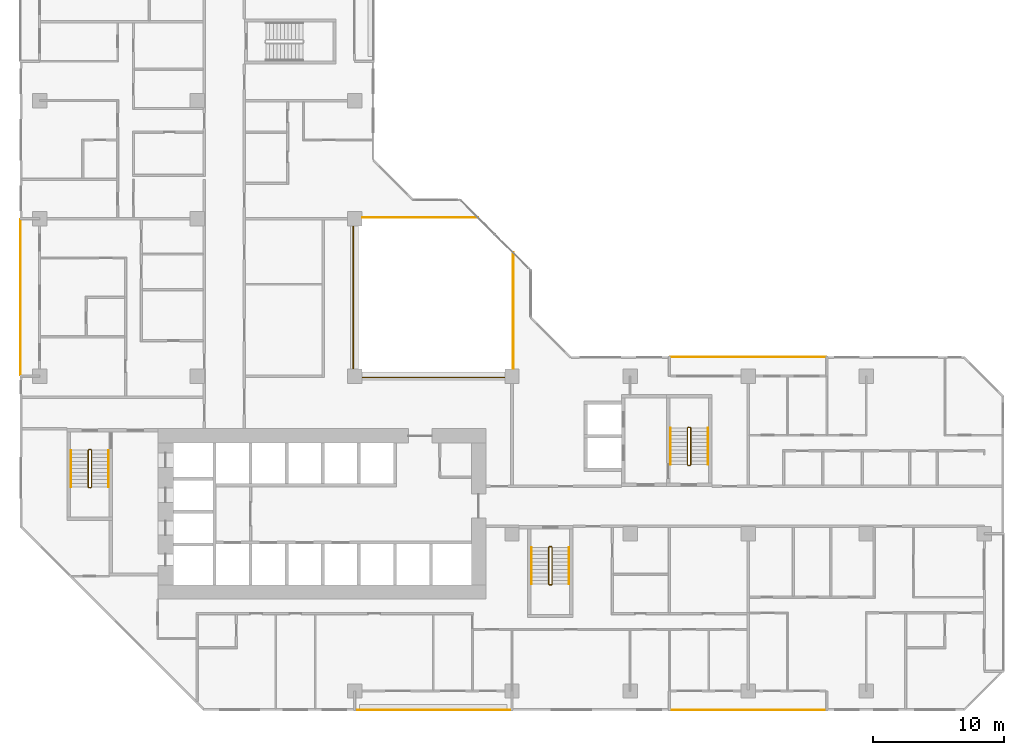
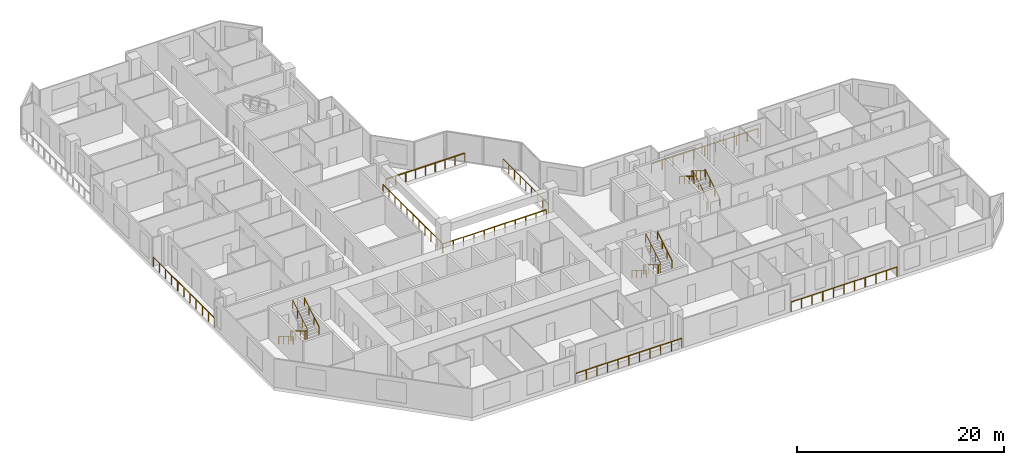
# One storey, part 14 of 15: 16 railings.
"""IFC4 building model written with IfcOpenShell, lengths in metres."""

from ifc_helpers import new_model, si_unit, direction, frame, origin, origin_2d, place, context, subcontext, project, spatial, rectangle, extrude, material, type_object, element, save


model = new_model("IFC4")

# Units and contexts
model_context = context("Model", 3, precision=1e-05, world=origin(), true_north=direction((0.0, 1.0)))
body_context = subcontext(model_context, "Body", "Model", "MODEL_VIEW")
ifc_project = project(units=[si_unit("LENGTHUNIT", "METRE"), si_unit("AREAUNIT", "SQUARE_METRE"), si_unit("VOLUMEUNIT", "CUBIC_METRE"), si_unit("PLANEANGLEUNIT", "RADIAN"), si_unit("MASSUNIT", "GRAM", prefix="KILO")], contexts=[model_context])

# Site, building, storey
site_placement = place(None, origin())
site = spatial("IfcSite", under=ifc_project, at=site_placement, CompositionType="ELEMENT")
building_placement = place(site_placement, origin())
building = spatial("IfcBuilding", under=site, at=building_placement, Name="Chenar Terraces", CompositionType="ELEMENT")
storey_placement = place(building_placement, frame((0.0, 0.0, 52.64990234375)))
storey = spatial("IfcBuildingStorey", under=building, at=storey_placement, Name="L10", CompositionType="ELEMENT", Elevation=52.64990234375)

# Railings
ifc_material_1 = material(Name="Powder-coated steel", Category="steel")
railing_type_1 = type_object("IfcRailingType", Name="Guard 1100 steel rail with glass infill", PredefinedType="GUARDRAIL", material=ifc_material_1)
railing_1_placement = place(storey_placement, frame((23.89990234375, 35.449951171875, 0.0)))
element("IfcRailing", 1, at=railing_1_placement, inside=storey, type_object=railing_type_1, Name="Guard L10-1", PredefinedType="GUARDRAIL", context=body_context, shape_type="SweptSolid", body=[
    extrude(rectangle(XDim=0.06005859375, YDim=0.06005859375, at=origin_2d()), frame((0.0, 0.0, 1.070068359375), z_axis=(0.0, -1.0, 0.0), x_axis=(1.0, 0.0, 0.0)), (0.0, 0.0, 1.0), 11.550048828125),
    extrude(rectangle(XDim=0.06005859375, YDim=0.06005859375, at=origin_2d()), frame((0.0, -11.550048828125, 1.070068359375), z_axis=(1.0, 0.0, 0.0), x_axis=(0.0, 1.0, 0.0)), (0.0, 0.0, 1.0), 11.550048828125),
    extrude(rectangle(XDim=0.050048828125, YDim=0.050048828125, at=origin_2d()), origin(), (0.0, 0.0, 1.0), 1.0400390625),
    extrude(rectangle(XDim=0.050048828125, YDim=0.050048828125, at=origin_2d()), frame((0.0, -1.155029296875, 0.0)), (0.0, 0.0, 1.0), 1.0400390625),
    extrude(rectangle(XDim=0.050048828125, YDim=0.050048828125, at=origin_2d()), frame((0.0, -2.31005859375, 0.0)), (0.0, 0.0, 1.0), 1.0400390625),
    extrude(rectangle(XDim=0.050048828125, YDim=0.050048828125, at=origin_2d()), frame((0.0, -3.465087890625, 0.0)), (0.0, 0.0, 1.0), 1.0400390625),
    extrude(rectangle(XDim=0.050048828125, YDim=0.050048828125, at=origin_2d()), frame((0.0, -4.6201171875, 0.0)), (0.0, 0.0, 1.0), 1.0400390625),
    extrude(rectangle(XDim=0.050048828125, YDim=0.050048828125, at=origin_2d()), frame((0.0, -5.77490234375, 0.0)), (0.0, 0.0, 1.0), 1.0400390625),
    extrude(rectangle(XDim=0.050048828125, YDim=0.050048828125, at=origin_2d()), frame((0.0, -6.929931640625, 0.0)), (0.0, 0.0, 1.0), 1.0400390625),
    extrude(rectangle(XDim=0.050048828125, YDim=0.050048828125, at=origin_2d()), frame((0.0, -8.0849609375, 0.0)), (0.0, 0.0, 1.0), 1.0400390625),
    extrude(rectangle(XDim=0.050048828125, YDim=0.050048828125, at=origin_2d()), frame((0.0, -9.239990234375, 0.0)), (0.0, 0.0, 1.0), 1.0400390625),
    extrude(rectangle(XDim=0.050048828125, YDim=0.050048828125, at=origin_2d()), frame((0.0, -10.39501953125, 0.0)), (0.0, 0.0, 1.0), 1.0400390625),
    extrude(rectangle(XDim=0.050048828125, YDim=0.050048828125, at=origin_2d()), frame((0.0, -11.550048828125, 0.0)), (0.0, 0.0, 1.0), 1.0400390625),
    extrude(rectangle(XDim=0.050048828125, YDim=0.050048828125, at=origin_2d()), frame((1.155029296875, -11.550048828125, 0.0)), (0.0, 0.0, 1.0), 1.0400390625),
    extrude(rectangle(XDim=0.050048828125, YDim=0.050048828125, at=origin_2d()), frame((2.31005859375, -11.550048828125, 0.0)), (0.0, 0.0, 1.0), 1.0400390625),
    extrude(rectangle(XDim=0.050048828125, YDim=0.050048828125, at=origin_2d()), frame((3.465087890625, -11.550048828125, 0.0)), (0.0, 0.0, 1.0), 1.0400390625),
    extrude(rectangle(XDim=0.050048828125, YDim=0.050048828125, at=origin_2d()), frame((4.6201171875, -11.550048828125, 0.0)), (0.0, 0.0, 1.0), 1.0400390625),
    extrude(rectangle(XDim=0.050048828125, YDim=0.050048828125, at=origin_2d()), frame((5.77490234375, -11.550048828125, 0.0)), (0.0, 0.0, 1.0), 1.0400390625),
    extrude(rectangle(XDim=0.050048828125, YDim=0.050048828125, at=origin_2d()), frame((6.929931640625, -11.550048828125, 0.0)), (0.0, 0.0, 1.0), 1.0400390625),
    extrude(rectangle(XDim=0.050048828125, YDim=0.050048828125, at=origin_2d()), frame((8.0849609375, -11.550048828125, 0.0)), (0.0, 0.0, 1.0), 1.0400390625),
    extrude(rectangle(XDim=0.050048828125, YDim=0.050048828125, at=origin_2d()), frame((9.239990234375, -11.550048828125, 0.0)), (0.0, 0.0, 1.0), 1.0400390625),
    extrude(rectangle(XDim=0.050048828125, YDim=0.050048828125, at=origin_2d()), frame((10.39501953125, -11.550048828125, 0.0)), (0.0, 0.0, 1.0), 1.0400390625),
    extrude(rectangle(XDim=0.050048828125, YDim=0.050048828125, at=origin_2d()), frame((11.550048828125, -11.550048828125, 0.0)), (0.0, 0.0, 1.0), 1.0400390625),
])
railing_2_placement = place(storey_placement, frame((24.60009765625, 36.10009765625, 0.0)))
element("IfcRailing", 2, at=railing_2_placement, inside=storey, type_object=railing_type_1, Name="Guard L10-2", PredefinedType="GUARDRAIL", context=body_context, shape_type="SweptSolid", body=[
    extrude(rectangle(XDim=0.06005859375, YDim=0.06005859375, at=origin_2d()), frame((0.0, 0.0, 1.070068359375), z_axis=(1.0, 0.0, 0.0), x_axis=(0.0, 1.0, 0.0)), (0.0, 0.0, 1.0), 8.7998046875),
    extrude(rectangle(XDim=0.050048828125, YDim=0.050048828125, at=origin_2d()), origin(), (0.0, 0.0, 1.0), 1.0400390625),
    extrude(rectangle(XDim=0.050048828125, YDim=0.050048828125, at=origin_2d()), frame((1.10009765625, 0.0, 0.0)), (0.0, 0.0, 1.0), 1.0400390625),
    extrude(rectangle(XDim=0.050048828125, YDim=0.050048828125, at=origin_2d()), frame((2.199951171875, 0.0, 0.0)), (0.0, 0.0, 1.0), 1.0400390625),
    extrude(rectangle(XDim=0.050048828125, YDim=0.050048828125, at=origin_2d()), frame((3.2998046875, 0.0, 0.0)), (0.0, 0.0, 1.0), 1.0400390625),
    extrude(rectangle(XDim=0.050048828125, YDim=0.050048828125, at=origin_2d()), frame((4.39990234375, 0.0, 0.0)), (0.0, 0.0, 1.0), 1.0400390625),
    extrude(rectangle(XDim=0.050048828125, YDim=0.050048828125, at=origin_2d()), frame((5.5, 0.0, 0.0)), (0.0, 0.0, 1.0), 1.0400390625),
    extrude(rectangle(XDim=0.050048828125, YDim=0.050048828125, at=origin_2d()), frame((6.599853515625, 0.0, 0.0)), (0.0, 0.0, 1.0), 1.0400390625),
    extrude(rectangle(XDim=0.050048828125, YDim=0.050048828125, at=origin_2d()), frame((7.69970703125, 0.0, 0.0)), (0.0, 0.0, 1.0), 1.0400390625),
    extrude(rectangle(XDim=0.050048828125, YDim=0.050048828125, at=origin_2d()), frame((8.7998046875, 0.0, 0.0)), (0.0, 0.0, 1.0), 1.0400390625),
])
railing_3_placement = place(storey_placement, frame((36.10009765625, 24.60009765625, 0.0)))
element("IfcRailing", 3, at=railing_3_placement, inside=storey, type_object=railing_type_1, Name="Guard L10-3", PredefinedType="GUARDRAIL", context=body_context, shape_type="SweptSolid", body=[
    extrude(rectangle(XDim=0.06005859375, YDim=0.06005859375, at=origin_2d()), frame((0.0, 0.0, 1.070068359375), z_axis=(0.0, 1.0, 0.0), x_axis=(-1.0, 0.0, 0.0)), (0.0, 0.0, 1.0), 8.7998046875),
    extrude(rectangle(XDim=0.050048828125, YDim=0.050048828125, at=origin_2d()), origin(), (0.0, 0.0, 1.0), 1.0400390625),
    extrude(rectangle(XDim=0.050048828125, YDim=0.050048828125, at=origin_2d()), frame((0.0, 1.10009765625, 0.0)), (0.0, 0.0, 1.0), 1.0400390625),
    extrude(rectangle(XDim=0.050048828125, YDim=0.050048828125, at=origin_2d()), frame((0.0, 2.199951171875, 0.0)), (0.0, 0.0, 1.0), 1.0400390625),
    extrude(rectangle(XDim=0.050048828125, YDim=0.050048828125, at=origin_2d()), frame((0.0, 3.2998046875, 0.0)), (0.0, 0.0, 1.0), 1.0400390625),
    extrude(rectangle(XDim=0.050048828125, YDim=0.050048828125, at=origin_2d()), frame((0.0, 4.39990234375, 0.0)), (0.0, 0.0, 1.0), 1.0400390625),
    extrude(rectangle(XDim=0.050048828125, YDim=0.050048828125, at=origin_2d()), frame((0.0, 5.5, 0.0)), (0.0, 0.0, 1.0), 1.0400390625),
    extrude(rectangle(XDim=0.050048828125, YDim=0.050048828125, at=origin_2d()), frame((0.0, 6.599853515625, 0.0)), (0.0, 0.0, 1.0), 1.0400390625),
    extrude(rectangle(XDim=0.050048828125, YDim=0.050048828125, at=origin_2d()), frame((0.0, 7.69970703125, 0.0)), (0.0, 0.0, 1.0), 1.0400390625),
    extrude(rectangle(XDim=0.050048828125, YDim=0.050048828125, at=origin_2d()), frame((0.0, 8.7998046875, 0.0)), (0.0, 0.0, 1.0), 1.0400390625),
])
ifc_material_2 = material(Name="Stainless steel and glass", Category="steel")
railing_type_2 = type_object("IfcRailingType", Name="Loggia guard 1150", PredefinedType="GUARDRAIL", material=ifc_material_2)
railing_4_placement = place(storey_placement, frame((59.925048828125, 25.449951171875, 0.0)))
element("IfcRailing", 4, at=railing_4_placement, inside=storey, type_object=railing_type_2, Name="Loggia guard", PredefinedType="GUARDRAIL", context=body_context, shape_type="SweptSolid", body=[
    extrude(rectangle(XDim=0.048095703125, YDim=0.048095703125, at=origin_2d()), frame((0.0, 0.0, 1.1259765625), z_axis=(-1.0, 0.0, 0.0), x_axis=(0.0, -1.0, 0.0)), (0.0, 0.0, 1.0), 11.85009765625),
    extrude(rectangle(XDim=0.0419921875, YDim=0.0419921875, at=origin_2d()), origin(), (0.0, 0.0, 1.0), 1.101806640625),
    extrude(rectangle(XDim=0.0419921875, YDim=0.0419921875, at=origin_2d()), frame((-1.18505859375, 0.0, 0.0)), (0.0, 0.0, 1.0), 1.101806640625),
    extrude(rectangle(XDim=0.0419921875, YDim=0.0419921875, at=origin_2d()), frame((-2.3701171875, 0.0, 0.0)), (0.0, 0.0, 1.0), 1.101806640625),
    extrude(rectangle(XDim=0.0419921875, YDim=0.0419921875, at=origin_2d()), frame((-3.554931640625, 0.0, 0.0)), (0.0, 0.0, 1.0), 1.101806640625),
    extrude(rectangle(XDim=0.0419921875, YDim=0.0419921875, at=origin_2d()), frame((-4.739990234375, 0.0, 0.0)), (0.0, 0.0, 1.0), 1.101806640625),
    extrude(rectangle(XDim=0.0419921875, YDim=0.0419921875, at=origin_2d()), frame((-5.925048828125, 0.0, 0.0)), (0.0, 0.0, 1.0), 1.101806640625),
    extrude(rectangle(XDim=0.0419921875, YDim=0.0419921875, at=origin_2d()), frame((-7.110107421875, 0.0, 0.0)), (0.0, 0.0, 1.0), 1.101806640625),
    extrude(rectangle(XDim=0.0419921875, YDim=0.0419921875, at=origin_2d()), frame((-8.295166015625, 0.0, 0.0)), (0.0, 0.0, 1.0), 1.101806640625),
    extrude(rectangle(XDim=0.0419921875, YDim=0.0419921875, at=origin_2d()), frame((-9.47998046875, 0.0, 0.0)), (0.0, 0.0, 1.0), 1.101806640625),
    extrude(rectangle(XDim=0.0419921875, YDim=0.0419921875, at=origin_2d()), frame((-10.6650390625, 0.0, 0.0)), (0.0, 0.0, 1.0), 1.101806640625),
    extrude(rectangle(XDim=0.0419921875, YDim=0.0419921875, at=origin_2d()), frame((-11.85009765625, 0.0, 0.0)), (0.0, 0.0, 1.0), 1.101806640625),
])
railing_5_placement = place(storey_placement, frame((24.074951171875, -1.449951171875, 0.0)))
element("IfcRailing", 5, at=railing_5_placement, inside=storey, type_object=railing_type_2, Name="Loggia guard", PredefinedType="GUARDRAIL", context=body_context, shape_type="SweptSolid", body=[
    extrude(rectangle(XDim=0.048095703125, YDim=0.048095703125, at=origin_2d()), frame((0.0, 0.0, 1.1259765625), z_axis=(1.0, 0.0, 0.0), x_axis=(0.0, 1.0, 0.0)), (0.0, 0.0, 1.0), 11.85009765625),
    extrude(rectangle(XDim=0.0419921875, YDim=0.0419921875, at=origin_2d()), origin(), (0.0, 0.0, 1.0), 1.101806640625),
    extrude(rectangle(XDim=0.0419921875, YDim=0.0419921875, at=origin_2d()), frame((1.18505859375, 0.0, 0.0)), (0.0, 0.0, 1.0), 1.101806640625),
    extrude(rectangle(XDim=0.0419921875, YDim=0.0419921875, at=origin_2d()), frame((2.3701171875, 0.0, 0.0)), (0.0, 0.0, 1.0), 1.101806640625),
    extrude(rectangle(XDim=0.0419921875, YDim=0.0419921875, at=origin_2d()), frame((3.554931640625, 0.0, 0.0)), (0.0, 0.0, 1.0), 1.101806640625),
    extrude(rectangle(XDim=0.0419921875, YDim=0.0419921875, at=origin_2d()), frame((4.739990234375, 0.0, 0.0)), (0.0, 0.0, 1.0), 1.101806640625),
    extrude(rectangle(XDim=0.0419921875, YDim=0.0419921875, at=origin_2d()), frame((5.925048828125, 0.0, 0.0)), (0.0, 0.0, 1.0), 1.101806640625),
    extrude(rectangle(XDim=0.0419921875, YDim=0.0419921875, at=origin_2d()), frame((7.110107421875, 0.0, 0.0)), (0.0, 0.0, 1.0), 1.101806640625),
    extrude(rectangle(XDim=0.0419921875, YDim=0.0419921875, at=origin_2d()), frame((8.295166015625, 0.0, 0.0)), (0.0, 0.0, 1.0), 1.101806640625),
    extrude(rectangle(XDim=0.0419921875, YDim=0.0419921875, at=origin_2d()), frame((9.47998046875, 0.0, 0.0)), (0.0, 0.0, 1.0), 1.101806640625),
    extrude(rectangle(XDim=0.0419921875, YDim=0.0419921875, at=origin_2d()), frame((10.6650390625, 0.0, 0.0)), (0.0, 0.0, 1.0), 1.101806640625),
    extrude(rectangle(XDim=0.0419921875, YDim=0.0419921875, at=origin_2d()), frame((11.85009765625, 0.0, 0.0)), (0.0, 0.0, 1.0), 1.101806640625),
])
railing_6_placement = place(storey_placement, frame((48.074951171875, -1.449951171875, 0.0)))
element("IfcRailing", 6, at=railing_6_placement, inside=storey, type_object=railing_type_2, Name="Loggia guard", PredefinedType="GUARDRAIL", context=body_context, shape_type="SweptSolid", body=[
    extrude(rectangle(XDim=0.048095703125, YDim=0.048095703125, at=origin_2d()), frame((0.0, 0.0, 1.1259765625), z_axis=(1.0, 0.0, 0.0), x_axis=(0.0, 1.0, 0.0)), (0.0, 0.0, 1.0), 11.85009765625),
    extrude(rectangle(XDim=0.0419921875, YDim=0.0419921875, at=origin_2d()), origin(), (0.0, 0.0, 1.0), 1.101806640625),
    extrude(rectangle(XDim=0.0419921875, YDim=0.0419921875, at=origin_2d()), frame((1.18505859375, 0.0, 0.0)), (0.0, 0.0, 1.0), 1.101806640625),
    extrude(rectangle(XDim=0.0419921875, YDim=0.0419921875, at=origin_2d()), frame((2.3701171875, 0.0, 0.0)), (0.0, 0.0, 1.0), 1.101806640625),
    extrude(rectangle(XDim=0.0419921875, YDim=0.0419921875, at=origin_2d()), frame((3.554931640625, 0.0, 0.0)), (0.0, 0.0, 1.0), 1.101806640625),
    extrude(rectangle(XDim=0.0419921875, YDim=0.0419921875, at=origin_2d()), frame((4.739990234375, 0.0, 0.0)), (0.0, 0.0, 1.0), 1.101806640625),
    extrude(rectangle(XDim=0.0419921875, YDim=0.0419921875, at=origin_2d()), frame((5.925048828125, 0.0, 0.0)), (0.0, 0.0, 1.0), 1.101806640625),
    extrude(rectangle(XDim=0.0419921875, YDim=0.0419921875, at=origin_2d()), frame((7.110107421875, 0.0, 0.0)), (0.0, 0.0, 1.0), 1.101806640625),
    extrude(rectangle(XDim=0.0419921875, YDim=0.0419921875, at=origin_2d()), frame((8.295166015625, 0.0, 0.0)), (0.0, 0.0, 1.0), 1.101806640625),
    extrude(rectangle(XDim=0.0419921875, YDim=0.0419921875, at=origin_2d()), frame((9.47998046875, 0.0, 0.0)), (0.0, 0.0, 1.0), 1.101806640625),
    extrude(rectangle(XDim=0.0419921875, YDim=0.0419921875, at=origin_2d()), frame((10.6650390625, 0.0, 0.0)), (0.0, 0.0, 1.0), 1.101806640625),
    extrude(rectangle(XDim=0.0419921875, YDim=0.0419921875, at=origin_2d()), frame((11.85009765625, 0.0, 0.0)), (0.0, 0.0, 1.0), 1.101806640625),
])
railing_7_placement = place(storey_placement, frame((-1.449951171875, 35.925048828125, 0.0)))
element("IfcRailing", 7, at=railing_7_placement, inside=storey, type_object=railing_type_2, Name="Loggia guard", PredefinedType="GUARDRAIL", context=body_context, shape_type="SweptSolid", body=[
    extrude(rectangle(XDim=0.048095703125, YDim=0.048095703125, at=origin_2d()), frame((0.0, 0.0, 1.1259765625), z_axis=(0.0, -1.0, 0.0), x_axis=(1.0, 0.0, 0.0)), (0.0, 0.0, 1.0), 11.85009765625),
    extrude(rectangle(XDim=0.0419921875, YDim=0.0419921875, at=origin_2d()), origin(), (0.0, 0.0, 1.0), 1.101806640625),
    extrude(rectangle(XDim=0.0419921875, YDim=0.0419921875, at=origin_2d()), frame((0.0, -1.18505859375, 0.0)), (0.0, 0.0, 1.0), 1.101806640625),
    extrude(rectangle(XDim=0.0419921875, YDim=0.0419921875, at=origin_2d()), frame((0.0, -2.3701171875, 0.0)), (0.0, 0.0, 1.0), 1.101806640625),
    extrude(rectangle(XDim=0.0419921875, YDim=0.0419921875, at=origin_2d()), frame((0.0, -3.554931640625, 0.0)), (0.0, 0.0, 1.0), 1.101806640625),
    extrude(rectangle(XDim=0.0419921875, YDim=0.0419921875, at=origin_2d()), frame((0.0, -4.739990234375, 0.0)), (0.0, 0.0, 1.0), 1.101806640625),
    extrude(rectangle(XDim=0.0419921875, YDim=0.0419921875, at=origin_2d()), frame((0.0, -5.925048828125, 0.0)), (0.0, 0.0, 1.0), 1.101806640625),
    extrude(rectangle(XDim=0.0419921875, YDim=0.0419921875, at=origin_2d()), frame((0.0, -7.110107421875, 0.0)), (0.0, 0.0, 1.0), 1.101806640625),
    extrude(rectangle(XDim=0.0419921875, YDim=0.0419921875, at=origin_2d()), frame((0.0, -8.295166015625, 0.0)), (0.0, 0.0, 1.0), 1.101806640625),
    extrude(rectangle(XDim=0.0419921875, YDim=0.0419921875, at=origin_2d()), frame((0.0, -9.47998046875, 0.0)), (0.0, 0.0, 1.0), 1.101806640625),
    extrude(rectangle(XDim=0.0419921875, YDim=0.0419921875, at=origin_2d()), frame((0.0, -10.6650390625, 0.0)), (0.0, 0.0, 1.0), 1.101806640625),
    extrude(rectangle(XDim=0.0419921875, YDim=0.0419921875, at=origin_2d()), frame((0.0, -11.85009765625, 0.0)), (0.0, 0.0, 1.0), 1.101806640625),
])
ifc_material_3 = material(Name="Powder-coated steel", Category="steel")
railing_type_3 = type_object("IfcRailingType", Name="Stair guard 1100", PredefinedType="GUARDRAIL", material=ifc_material_3)
railing_8_placement = place(storey_placement, frame((3.949951171875, 18.35009765625, 3.75)))
element("IfcRailing", 8, at=railing_8_placement, inside=storey, type_object=railing_type_3, Name="L10 ST1 stair guard 1", PredefinedType="GUARDRAIL", context=body_context, shape_type="SweptSolid", body=[
    extrude(rectangle(XDim=0.048095703125, YDim=0.048095703125, at=origin_2d()), frame((0.0, 0.0, 1.076171875), z_axis=(0.0, -0.854202870247, -0.519939858505), x_axis=(1.0, 0.0, 0.0)), (0.0, 0.0, 1.0), 3.278076171875),
    extrude(rectangle(XDim=0.048095703125, YDim=0.048095703125, at=origin_2d()), frame((0.0, -2.800048828125, -0.62841796875), z_axis=(-0.270899902878, -0.270899902878, -0.923702595667), x_axis=(0.707106781187, -0.707106781187, 0.0)), (0.0, 0.0, 1.0), 0.184814453125),
    extrude(rectangle(XDim=0.048095703125, YDim=0.048095703125, at=origin_2d()), frame((-0.050048828125, -2.85009765625, -0.798828125), z_axis=(-1.0, 0.0, 0.0), x_axis=(0.0, -1.0, 0.0)), (0.0, 0.0, 1.0), 0.14990234375),
    extrude(rectangle(XDim=0.048095703125, YDim=0.048095703125, at=origin_2d()), frame((-0.199951171875, -2.85009765625, -0.798828125), z_axis=(-0.707106781187, 0.707106781187, 0.0), x_axis=(-0.707106781187, -0.707106781187, 0.0)), (0.0, 0.0, 1.0), 0.07080078125),
    extrude(rectangle(XDim=0.048095703125, YDim=0.048095703125, at=origin_2d()), frame((-0.25, -2.800048828125, -0.798828125), z_axis=(0.0, 0.854202870247, -0.519939858505), x_axis=(-1.0, 0.0, 0.0)), (0.0, 0.0, 1.0), 3.278076171875),
    extrude(rectangle(XDim=0.048095703125, YDim=0.048095703125, at=origin_2d()), frame((-0.25, 0.0, -2.50341796875), z_axis=(0.270996696079, 0.269674760976, -0.924032636873), x_axis=(-0.705375805398, 0.708833529934, 0.0)), (0.0, 0.0, 1.0), 0.1845703125),
    extrude(rectangle(XDim=0.048095703125, YDim=0.048095703125, at=origin_2d()), frame((-0.199951171875, 0.0498046875, -2.673828125), z_axis=(1.0, 0.0, 0.0), x_axis=(0.0, 1.0, 0.0)), (0.0, 0.0, 1.0), 0.14990234375),
    extrude(rectangle(XDim=0.0419921875, YDim=0.0419921875, at=origin_2d()), origin(), (0.0, 0.0, 1.0), 1.052001953125),
    extrude(rectangle(XDim=0.0419921875, YDim=0.0419921875, at=origin_2d()), frame((0.0, -0.933349609375, -0.568115234375)), (0.0, 0.0, 1.0), 1.052001953125),
    extrude(rectangle(XDim=0.0419921875, YDim=0.0419921875, at=origin_2d()), frame((0.0, -1.86669921875, -1.13623046875)), (0.0, 0.0, 1.0), 1.052001953125),
    extrude(rectangle(XDim=0.0419921875, YDim=0.0419921875, at=origin_2d()), frame((0.0, -2.800048828125, -1.704345703125)), (0.0, 0.0, 1.0), 1.052001953125),
    extrude(rectangle(XDim=0.0419921875, YDim=0.0419921875, at=origin_2d()), frame((-0.050048828125, -2.85009765625, -1.875)), (0.0, 0.0, 1.0), 1.052001953125),
    extrude(rectangle(XDim=0.0419921875, YDim=0.0419921875, at=origin_2d()), frame((-0.199951171875, -2.85009765625, -1.875)), (0.0, 0.0, 1.0), 1.052001953125),
    extrude(rectangle(XDim=0.0419921875, YDim=0.0419921875, at=origin_2d()), frame((-0.25, -2.800048828125, -1.875)), (0.0, 0.0, 1.0), 1.052001953125),
    extrude(rectangle(XDim=0.0419921875, YDim=0.0419921875, at=origin_2d()), frame((-0.25, -1.86669921875, -2.443115234375)), (0.0, 0.0, 1.0), 1.052001953125),
    extrude(rectangle(XDim=0.0419921875, YDim=0.0419921875, at=origin_2d()), frame((-0.25, -0.933349609375, -3.01123046875)), (0.0, 0.0, 1.0), 1.052001953125),
    extrude(rectangle(XDim=0.0419921875, YDim=0.0419921875, at=origin_2d()), frame((-0.25, 0.0, -3.579345703125)), (0.0, 0.0, 1.0), 1.052001953125),
    extrude(rectangle(XDim=0.0419921875, YDim=0.0419921875, at=origin_2d()), frame((-0.199951171875, 0.0498046875, -3.75)), (0.0, 0.0, 1.0), 1.052001953125),
    extrude(rectangle(XDim=0.0419921875, YDim=0.0419921875, at=origin_2d()), frame((-0.050048828125, 0.0498046875, -3.75)), (0.0, 0.0, 1.0), 1.052001953125),
])
railing_9_placement = place(storey_placement, frame((39.050048828125, 10.949951171875, 3.75)))
element("IfcRailing", 9, at=railing_9_placement, inside=storey, type_object=railing_type_3, Name="L10 ST2 stair guard 1", PredefinedType="GUARDRAIL", context=body_context, shape_type="SweptSolid", body=[
    extrude(rectangle(XDim=0.048095703125, YDim=0.048095703125, at=origin_2d()), frame((0.0, 0.0, 1.076171875), z_axis=(0.0, -0.854202870247, -0.519939858505), x_axis=(1.0, 0.0, 0.0)), (0.0, 0.0, 1.0), 3.278076171875),
    extrude(rectangle(XDim=0.048095703125, YDim=0.048095703125, at=origin_2d()), frame((0.0, -2.800048828125, -0.62841796875), z_axis=(-0.270996696079, -0.269674760976, -0.924032636873), x_axis=(0.705375805398, -0.708833529934, 0.0)), (0.0, 0.0, 1.0), 0.1845703125),
    extrude(rectangle(XDim=0.048095703125, YDim=0.048095703125, at=origin_2d()), frame((-0.050048828125, -2.849853515625, -0.798828125), z_axis=(-1.0, 0.0, 0.0), x_axis=(0.0, -1.0, 0.0)), (0.0, 0.0, 1.0), 0.14990234375),
    extrude(rectangle(XDim=0.048095703125, YDim=0.048095703125, at=origin_2d()), frame((-0.199951171875, -2.849853515625, -0.798828125), z_axis=(-0.708833529934, 0.705375805398, 0.0), x_axis=(-0.705375805398, -0.708833529934, 0.0)), (0.0, 0.0, 1.0), 0.070556640625),
    extrude(rectangle(XDim=0.048095703125, YDim=0.048095703125, at=origin_2d()), frame((-0.25, -2.800048828125, -0.798828125), z_axis=(0.0, 0.854202870247, -0.519939858505), x_axis=(-1.0, 0.0, 0.0)), (0.0, 0.0, 1.0), 3.278076171875),
    extrude(rectangle(XDim=0.048095703125, YDim=0.048095703125, at=origin_2d()), frame((-0.25, 0.0, -2.50341796875), z_axis=(0.270899902878, 0.270899902878, -0.923702595667), x_axis=(-0.707106781187, 0.707106781187, 0.0)), (0.0, 0.0, 1.0), 0.184814453125),
    extrude(rectangle(XDim=0.048095703125, YDim=0.048095703125, at=origin_2d()), frame((-0.199951171875, 0.050048828125, -2.673828125), z_axis=(1.0, 0.0, 0.0), x_axis=(0.0, 1.0, 0.0)), (0.0, 0.0, 1.0), 0.14990234375),
    extrude(rectangle(XDim=0.0419921875, YDim=0.0419921875, at=origin_2d()), origin(), (0.0, 0.0, 1.0), 1.052001953125),
    extrude(rectangle(XDim=0.0419921875, YDim=0.0419921875, at=origin_2d()), frame((0.0, -0.933349609375, -0.568115234375)), (0.0, 0.0, 1.0), 1.052001953125),
    extrude(rectangle(XDim=0.0419921875, YDim=0.0419921875, at=origin_2d()), frame((0.0, -1.86669921875, -1.13623046875)), (0.0, 0.0, 1.0), 1.052001953125),
    extrude(rectangle(XDim=0.0419921875, YDim=0.0419921875, at=origin_2d()), frame((0.0, -2.800048828125, -1.704345703125)), (0.0, 0.0, 1.0), 1.052001953125),
    extrude(rectangle(XDim=0.0419921875, YDim=0.0419921875, at=origin_2d()), frame((-0.050048828125, -2.849853515625, -1.875)), (0.0, 0.0, 1.0), 1.052001953125),
    extrude(rectangle(XDim=0.0419921875, YDim=0.0419921875, at=origin_2d()), frame((-0.199951171875, -2.849853515625, -1.875)), (0.0, 0.0, 1.0), 1.052001953125),
    extrude(rectangle(XDim=0.0419921875, YDim=0.0419921875, at=origin_2d()), frame((-0.25, -2.800048828125, -1.875)), (0.0, 0.0, 1.0), 1.052001953125),
    extrude(rectangle(XDim=0.0419921875, YDim=0.0419921875, at=origin_2d()), frame((-0.25, -1.86669921875, -2.443115234375)), (0.0, 0.0, 1.0), 1.052001953125),
    extrude(rectangle(XDim=0.0419921875, YDim=0.0419921875, at=origin_2d()), frame((-0.25, -0.933349609375, -3.01123046875)), (0.0, 0.0, 1.0), 1.052001953125),
    extrude(rectangle(XDim=0.0419921875, YDim=0.0419921875, at=origin_2d()), frame((-0.25, 0.0, -3.579345703125)), (0.0, 0.0, 1.0), 1.052001953125),
    extrude(rectangle(XDim=0.0419921875, YDim=0.0419921875, at=origin_2d()), frame((-0.199951171875, 0.050048828125, -3.75)), (0.0, 0.0, 1.0), 1.052001953125),
    extrude(rectangle(XDim=0.0419921875, YDim=0.0419921875, at=origin_2d()), frame((-0.050048828125, 0.050048828125, -3.75)), (0.0, 0.0, 1.0), 1.052001953125),
])
railing_10_placement = place(storey_placement, frame((49.375, 17.25, 3.75)))
element("IfcRailing", 10, at=railing_10_placement, inside=storey, type_object=railing_type_3, Name="L10 ST3 stair guard 1", PredefinedType="GUARDRAIL", context=body_context, shape_type="SweptSolid", body=[
    extrude(rectangle(XDim=0.048095703125, YDim=0.048095703125, at=origin_2d()), frame((0.0, 0.0, 1.076171875), z_axis=(0.0, 0.854202870247, -0.519939858505), x_axis=(-1.0, 0.0, 0.0)), (0.0, 0.0, 1.0), 3.278076171875),
    extrude(rectangle(XDim=0.048095703125, YDim=0.048095703125, at=origin_2d()), frame((0.0, 2.800048828125, -0.62841796875), z_axis=(0.270899902878, 0.270899902878, -0.923702595667), x_axis=(-0.707106781187, 0.707106781187, 0.0)), (0.0, 0.0, 1.0), 0.184814453125),
    extrude(rectangle(XDim=0.048095703125, YDim=0.048095703125, at=origin_2d()), frame((0.050048828125, 2.85009765625, -0.798828125), z_axis=(1.0, 0.0, 0.0), x_axis=(0.0, 1.0, 0.0)), (0.0, 0.0, 1.0), 0.14990234375),
    extrude(rectangle(XDim=0.048095703125, YDim=0.048095703125, at=origin_2d()), frame((0.199951171875, 2.85009765625, -0.798828125), z_axis=(0.707106781187, -0.707106781187, 0.0), x_axis=(0.707106781187, 0.707106781187, 0.0)), (0.0, 0.0, 1.0), 0.07080078125),
    extrude(rectangle(XDim=0.048095703125, YDim=0.048095703125, at=origin_2d()), frame((0.25, 2.800048828125, -0.798828125), z_axis=(0.0, -0.854202870247, -0.519939858505), x_axis=(1.0, 0.0, 0.0)), (0.0, 0.0, 1.0), 3.278076171875),
    extrude(rectangle(XDim=0.048095703125, YDim=0.048095703125, at=origin_2d()), frame((0.25, 0.0, -2.50341796875), z_axis=(-0.270899902878, -0.270899902878, -0.923702595667), x_axis=(0.707106781187, -0.707106781187, 0.0)), (0.0, 0.0, 1.0), 0.184814453125),
    extrude(rectangle(XDim=0.048095703125, YDim=0.048095703125, at=origin_2d()), frame((0.199951171875, -0.050048828125, -2.673828125), z_axis=(-1.0, 0.0, 0.0), x_axis=(0.0, -1.0, 0.0)), (0.0, 0.0, 1.0), 0.14990234375),
    extrude(rectangle(XDim=0.0419921875, YDim=0.0419921875, at=origin_2d()), origin(), (0.0, 0.0, 1.0), 1.052001953125),
    extrude(rectangle(XDim=0.0419921875, YDim=0.0419921875, at=origin_2d()), frame((0.0, 0.933349609375, -0.568115234375)), (0.0, 0.0, 1.0), 1.052001953125),
    extrude(rectangle(XDim=0.0419921875, YDim=0.0419921875, at=origin_2d()), frame((0.0, 1.86669921875, -1.13623046875)), (0.0, 0.0, 1.0), 1.052001953125),
    extrude(rectangle(XDim=0.0419921875, YDim=0.0419921875, at=origin_2d()), frame((0.0, 2.800048828125, -1.704345703125)), (0.0, 0.0, 1.0), 1.052001953125),
    extrude(rectangle(XDim=0.0419921875, YDim=0.0419921875, at=origin_2d()), frame((0.050048828125, 2.85009765625, -1.875)), (0.0, 0.0, 1.0), 1.052001953125),
    extrude(rectangle(XDim=0.0419921875, YDim=0.0419921875, at=origin_2d()), frame((0.199951171875, 2.85009765625, -1.875)), (0.0, 0.0, 1.0), 1.052001953125),
    extrude(rectangle(XDim=0.0419921875, YDim=0.0419921875, at=origin_2d()), frame((0.25, 2.800048828125, -1.875)), (0.0, 0.0, 1.0), 1.052001953125),
    extrude(rectangle(XDim=0.0419921875, YDim=0.0419921875, at=origin_2d()), frame((0.25, 1.86669921875, -2.443115234375)), (0.0, 0.0, 1.0), 1.052001953125),
    extrude(rectangle(XDim=0.0419921875, YDim=0.0419921875, at=origin_2d()), frame((0.25, 0.933349609375, -3.01123046875)), (0.0, 0.0, 1.0), 1.052001953125),
    extrude(rectangle(XDim=0.0419921875, YDim=0.0419921875, at=origin_2d()), frame((0.25, 0.0, -3.579345703125)), (0.0, 0.0, 1.0), 1.052001953125),
    extrude(rectangle(XDim=0.0419921875, YDim=0.0419921875, at=origin_2d()), frame((0.199951171875, -0.050048828125, -3.75)), (0.0, 0.0, 1.0), 1.052001953125),
    extrude(rectangle(XDim=0.0419921875, YDim=0.0419921875, at=origin_2d()), frame((0.050048828125, -0.050048828125, -3.75)), (0.0, 0.0, 1.0), 1.052001953125),
])
ifc_material_4 = material(Name="Powder-coated steel", Category="steel")
railing_type_4 = type_object("IfcRailingType", Name="Stair handrail 900", PredefinedType="HANDRAIL", material=ifc_material_4)
railing_11_placement = place(storey_placement, frame((2.39990234375, 18.35009765625, 0.170654296875)))
element("IfcRailing", 11, at=railing_11_placement, inside=storey, type_object=railing_type_4, Name="L10 ST1 stair handrail 1", PredefinedType="HANDRAIL", context=body_context, shape_type="SweptSolid", body=[
    extrude(rectangle(XDim=0.048095703125, YDim=0.048095703125, at=origin_2d()), frame((0.0, 0.0, 0.8759765625), z_axis=(0.0, -0.854202870247, 0.519939858505), x_axis=(1.0, 0.0, 0.0)), (0.0, 0.0, 1.0), 3.278076171875),
    extrude(rectangle(XDim=0.0419921875, YDim=0.0419921875, at=origin_2d()), origin(), (0.0, 0.0, 1.0), 0.851806640625),
    extrude(rectangle(XDim=0.0419921875, YDim=0.0419921875, at=origin_2d()), frame((0.0, -0.933349609375, 0.568115234375)), (0.0, 0.0, 1.0), 0.851806640625),
    extrude(rectangle(XDim=0.0419921875, YDim=0.0419921875, at=origin_2d()), frame((0.0, -1.86669921875, 1.13623046875)), (0.0, 0.0, 1.0), 0.851806640625),
    extrude(rectangle(XDim=0.0419921875, YDim=0.0419921875, at=origin_2d()), frame((0.0, -2.800048828125, 1.704345703125)), (0.0, 0.0, 1.0), 0.851806640625),
])
railing_12_placement = place(storey_placement, frame((5.25, 15.550048828125, 2.045654296875)))
element("IfcRailing", 12, at=railing_12_placement, inside=storey, type_object=railing_type_4, Name="L10 ST1 stair handrail 2", PredefinedType="HANDRAIL", context=body_context, shape_type="SweptSolid", body=[
    extrude(rectangle(XDim=0.048095703125, YDim=0.048095703125, at=origin_2d()), frame((0.0, 0.0, 0.8759765625), z_axis=(0.0, 0.854202870247, 0.519939858505), x_axis=(-1.0, 0.0, 0.0)), (0.0, 0.0, 1.0), 3.278076171875),
    extrude(rectangle(XDim=0.0419921875, YDim=0.0419921875, at=origin_2d()), origin(), (0.0, 0.0, 1.0), 0.851806640625),
    extrude(rectangle(XDim=0.0419921875, YDim=0.0419921875, at=origin_2d()), frame((0.0, 0.933349609375, 0.568115234375)), (0.0, 0.0, 1.0), 0.851806640625),
    extrude(rectangle(XDim=0.0419921875, YDim=0.0419921875, at=origin_2d()), frame((0.0, 1.86669921875, 1.13623046875)), (0.0, 0.0, 1.0), 0.851806640625),
    extrude(rectangle(XDim=0.0419921875, YDim=0.0419921875, at=origin_2d()), frame((0.0, 2.800048828125, 1.704345703125)), (0.0, 0.0, 1.0), 0.851806640625),
])
railing_13_placement = place(storey_placement, frame((37.5, 10.949951171875, 0.170654296875)))
element("IfcRailing", 13, at=railing_13_placement, inside=storey, type_object=railing_type_4, Name="L10 ST2 stair handrail 1", PredefinedType="HANDRAIL", context=body_context, shape_type="SweptSolid", body=[
    extrude(rectangle(XDim=0.048095703125, YDim=0.048095703125, at=origin_2d()), frame((0.0, 0.0, 0.8759765625), z_axis=(0.0, -0.854202870247, 0.519939858505), x_axis=(1.0, 0.0, 0.0)), (0.0, 0.0, 1.0), 3.278076171875),
    extrude(rectangle(XDim=0.0419921875, YDim=0.0419921875, at=origin_2d()), origin(), (0.0, 0.0, 1.0), 0.851806640625),
    extrude(rectangle(XDim=0.0419921875, YDim=0.0419921875, at=origin_2d()), frame((0.0, -0.933349609375, 0.568115234375)), (0.0, 0.0, 1.0), 0.851806640625),
    extrude(rectangle(XDim=0.0419921875, YDim=0.0419921875, at=origin_2d()), frame((0.0, -1.86669921875, 1.13623046875)), (0.0, 0.0, 1.0), 0.851806640625),
    extrude(rectangle(XDim=0.0419921875, YDim=0.0419921875, at=origin_2d()), frame((0.0, -2.800048828125, 1.704345703125)), (0.0, 0.0, 1.0), 0.851806640625),
])
for number, where, name in (
    (14, (40.35009765625, 8.14990234375, 2.045654296875), "L10 ST2 stair handrail 2"),
    (15, (50.925048828125, 17.25, 0.170654296875), "L10 ST3 stair handrail 1"),
):
    element("IfcRailing", number, at=place(storey_placement, frame(where)), inside=storey, type_object=railing_type_4, Name=name, PredefinedType="HANDRAIL", context=body_context, shape_type="SweptSolid", body=[
        extrude(rectangle(XDim=0.048095703125, YDim=0.048095703125, at=origin_2d()), frame((0.0, 0.0, 0.8759765625), z_axis=(0.0, 0.854202870247, 0.519939858505), x_axis=(-1.0, 0.0, 0.0)), (0.0, 0.0, 1.0), 3.278076171875),
        extrude(rectangle(XDim=0.0419921875, YDim=0.0419921875, at=origin_2d()), origin(), (0.0, 0.0, 1.0), 0.851806640625),
        extrude(rectangle(XDim=0.0419921875, YDim=0.0419921875, at=origin_2d()), frame((0.0, 0.933349609375, 0.568115234375)), (0.0, 0.0, 1.0), 0.851806640625),
        extrude(rectangle(XDim=0.0419921875, YDim=0.0419921875, at=origin_2d()), frame((0.0, 1.86669921875, 1.13623046875)), (0.0, 0.0, 1.0), 0.851806640625),
        extrude(rectangle(XDim=0.0419921875, YDim=0.0419921875, at=origin_2d()), frame((0.0, 2.800048828125, 1.704345703125)), (0.0, 0.0, 1.0), 0.851806640625),
    ])
railing_14_placement = place(storey_placement, frame((48.074951171875, 20.050048828125, 2.045654296875)))
element("IfcRailing", 16, at=railing_14_placement, inside=storey, type_object=railing_type_4, Name="L10 ST3 stair handrail 2", PredefinedType="HANDRAIL", context=body_context, shape_type="SweptSolid", body=[
    extrude(rectangle(XDim=0.048095703125, YDim=0.048095703125, at=origin_2d()), frame((0.0, 0.0, 0.8759765625), z_axis=(0.0, -0.854202870247, 0.519939858505), x_axis=(1.0, 0.0, 0.0)), (0.0, 0.0, 1.0), 3.278076171875),
    extrude(rectangle(XDim=0.0419921875, YDim=0.0419921875, at=origin_2d()), origin(), (0.0, 0.0, 1.0), 0.851806640625),
    extrude(rectangle(XDim=0.0419921875, YDim=0.0419921875, at=origin_2d()), frame((0.0, -0.933349609375, 0.568115234375)), (0.0, 0.0, 1.0), 0.851806640625),
    extrude(rectangle(XDim=0.0419921875, YDim=0.0419921875, at=origin_2d()), frame((0.0, -1.86669921875, 1.13623046875)), (0.0, 0.0, 1.0), 0.851806640625),
    extrude(rectangle(XDim=0.0419921875, YDim=0.0419921875, at=origin_2d()), frame((0.0, -2.800048828125, 1.704345703125)), (0.0, 0.0, 1.0), 0.851806640625),
])

save(model, "model.ifc")
